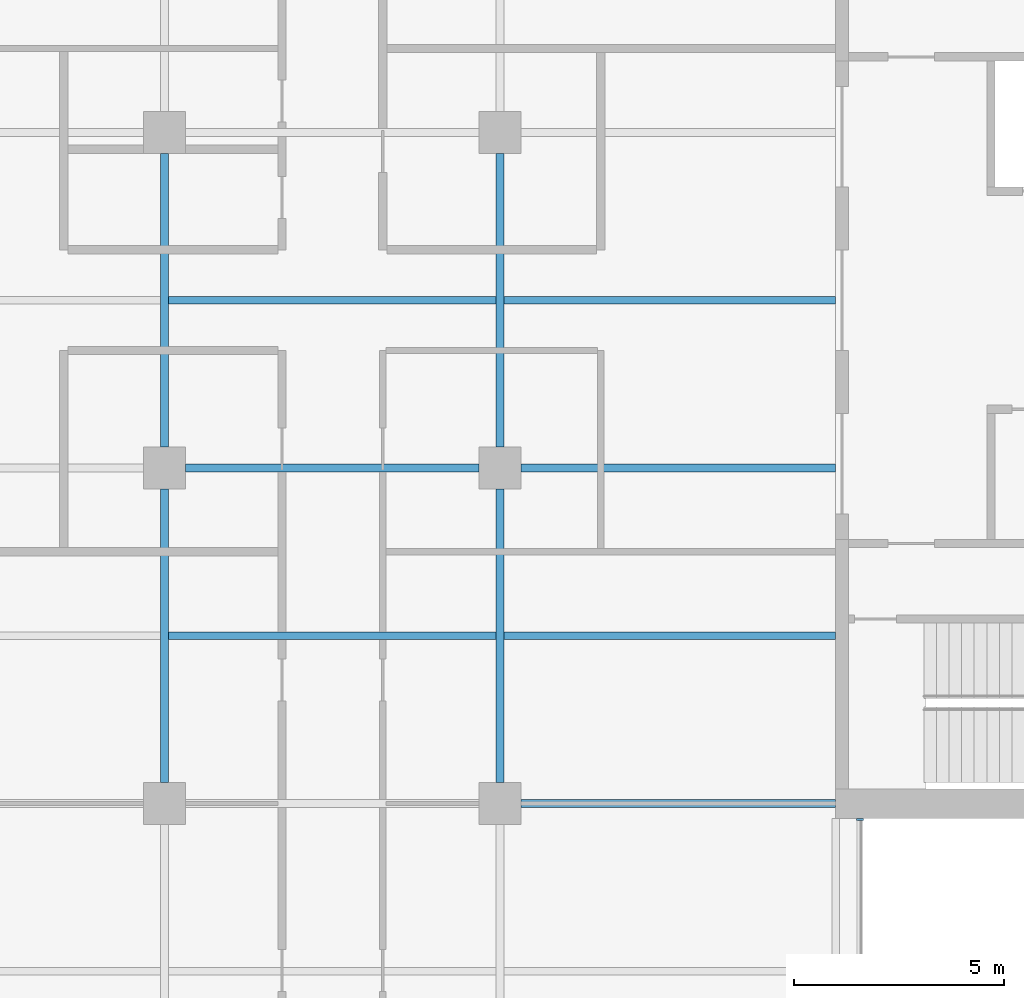
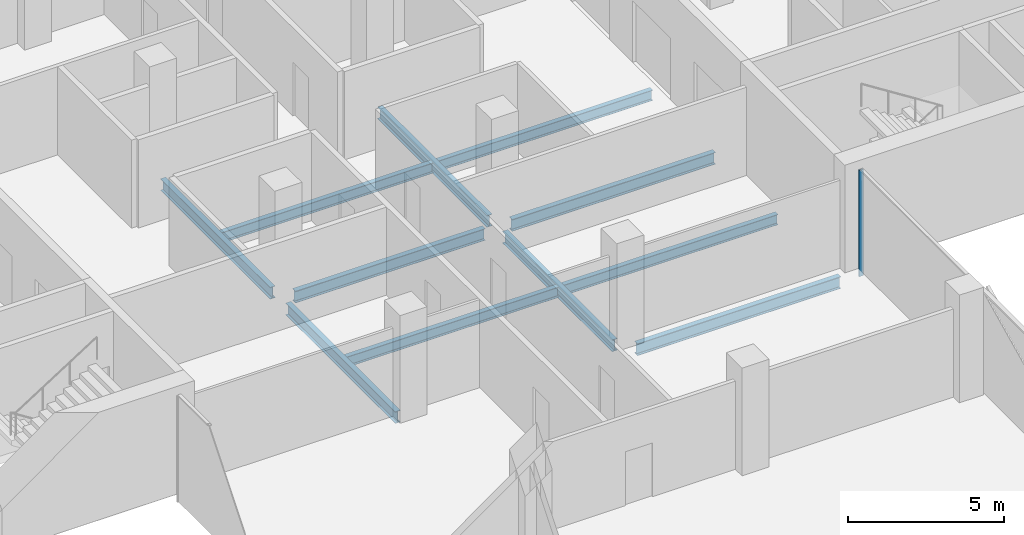
# One storey, part 6 of 22: 11 beams, 1 member, 1 element without a shape of its own.
"""IFC4 building model written with IfcOpenShell, lengths in metres."""

from ifc_helpers import new_model, si_unit, direction, frame, origin, origin_2d, place, context, subcontext, project, spatial, rectangle, i_section, extrude, material, material_profile, profile_set, type_object, element, aggregate, save


model = new_model("IFC4")

# Units and contexts
model_context = context("Model", 3, precision=1e-05, world=origin(), true_north=direction((0.0, 1.0)))
body_context = subcontext(model_context, "Body", "Model", "MODEL_VIEW")
ifc_project = project(units=[si_unit("LENGTHUNIT", "METRE"), si_unit("AREAUNIT", "SQUARE_METRE"), si_unit("VOLUMEUNIT", "CUBIC_METRE"), si_unit("PLANEANGLEUNIT", "RADIAN"), si_unit("MASSUNIT", "GRAM", prefix="KILO")], contexts=[model_context])

# Site, building, storey
site_placement = place(None, origin())
site = spatial("IfcSite", under=ifc_project, at=site_placement, CompositionType="ELEMENT")
building_placement = place(site_placement, origin())
building = spatial("IfcBuilding", under=site, at=building_placement, Name="Crosswind Convention Tower", CompositionType="ELEMENT")
storey_placement = place(building_placement, frame((0.0, 0.0, 133.699951171875)))
storey = spatial("IfcBuildingStorey", under=building, at=storey_placement, Name="L27", CompositionType="ELEMENT", Elevation=133.699951171875)

# Beams
ifc_material_1 = material(Name="Steel S355", Category="steel")
ifc_material_profile_1 = material_profile(ifc_material_1, i_section(OverallWidth=0.19140625, OverallDepth=0.460205078125, WebThickness=0.010009765625, FlangeThickness=0.01611328125, FilletRadius=0.01025390625, at=origin_2d()), Name="UB 457x191x82")
ifc_profile_set_1 = profile_set([ifc_material_profile_1], Name="Steel S355")
beam_type_1 = type_object("IfcBeamType", Name="Girder UB 457x191x82", PredefinedType="BEAM", material=ifc_profile_set_1)
for number, where, z_axis, x_axis, name in (
    (1, (121.0, 88.5, -0.530029296875), (0.0, 1.0, 0.0), (-1.0, 0.0, 0.0), "B3 L27 girder 5"),
    (2, (121.0, 96.5, -0.530029296875), (0.0, 1.0, 0.0), (-1.0, 0.0, 0.0), "B3 L27 girder 6"),
    (3, (121.5, 96.0, -0.530029296875), (1.0, 0.0, 0.0), (0.0, 1.0, 0.0), "B3 L27 girder 12"),
    (4, (129.0, 88.5, -0.530029296875), (0.0, 1.0, 0.0), (-1.0, 0.0, 0.0), "B3 L27 girder 18"),
    (5, (129.0, 96.5, -0.530029296875), (0.0, 1.0, 0.0), (-1.0, 0.0, 0.0), "B3 L27 girder 19"),
):
    element("IfcBeam", number, at=place(storey_placement, frame(where, z_axis=z_axis, x_axis=x_axis)), inside=storey, type_object=beam_type_1, Name=name, PredefinedType="BEAM", context=body_context, shape_type="SweptSolid", body=[
        extrude(i_section(OverallWidth=0.19140625, OverallDepth=0.460205078125, WebThickness=0.010009765625, FlangeThickness=0.01611328125, FilletRadius=0.01025390625, at=origin_2d()), origin(), (0.0, 0.0, 1.0), 7.0),
    ])
ifc_material_profile_2 = material_profile(ifc_material_1, i_section(OverallWidth=0.19189453125, OverallDepth=0.463623046875, WebThickness=0.010498046875, FlangeThickness=0.017578125, FilletRadius=0.01025390625, at=origin_2d()), Name="UB 457x191x90")
ifc_profile_set_2 = profile_set([ifc_material_profile_2], Name="Steel S355")
beam_type_2 = type_object("IfcBeamType", Name="Girder at core wall UB 457x191x90", PredefinedType="BEAM", material=ifc_profile_set_2)
for number, where, z_axis, x_axis, name in (
    (6, (129.5, 88.0, -0.53173828125), (1.0, 0.0, 0.0), (0.0, 1.0, 0.0), "B24 L27 girder at core wall 7"),
    (7, (129.5, 96.0, -0.53173828125), (1.0, 0.0, 0.0), (0.0, 1.0, 0.0), "B24 L27 girder at core wall 8"),
):
    element("IfcBeam", number, at=place(storey_placement, frame(where, z_axis=z_axis, x_axis=x_axis)), inside=storey, type_object=beam_type_2, Name=name, PredefinedType="BEAM", context=body_context, shape_type="SweptSolid", body=[
        extrude(i_section(OverallWidth=0.19189453125, OverallDepth=0.463623046875, WebThickness=0.010498046875, FlangeThickness=0.017578125, FilletRadius=0.01025390625, at=origin_2d()), origin(), (0.0, 0.0, 1.0), 7.5),
    ])

# Curtain wall, member
ifc_material_2 = material(Name="Aluminium unitised curtain wall", Category="aluminium")
curtain_wall_type = type_object("IfcCurtainWallType", Name="CORE END SLOT WALL 160", PredefinedType="USERDEFINED", material=ifc_material_2)
curtain_wall_placement = place(storey_placement, origin())
curtain_wall = element("IfcCurtainWall", 8, at=curtain_wall_placement, inside=storey, type_object=curtain_wall_type, Name="CW6 L27 S-E.1-2 slot", ObjectType="UNITISED", PredefinedType="USERDEFINED")
ifc_material_3 = material(Name="Aluminium mullion", Category="aluminium")
ifc_material_profile_3 = material_profile(ifc_material_3, rectangle(XDim=0.159912109375, YDim=0.050048828125, at=origin_2d()), Name="AL 160X50")
ifc_profile_set_3 = profile_set([ifc_material_profile_3], Name="Aluminium mullion")
member_type = type_object("IfcMemberType", Name="MULLION 50X160", PredefinedType="MULLION", material=ifc_profile_set_3)
member_placement = place(storey_placement, frame((137.580078125, 87.625, -0.300048828125), z_axis=(0.0, 0.0, 1.0), x_axis=(1.0, 0.0, 0.0)))
member = element("IfcMember", 9, at=member_placement, type_object=member_type, Name="CW6 mullion 2", PredefinedType="MULLION", context=body_context, shape_type="SweptSolid", body=[
    extrude(rectangle(XDim=0.159912109375, YDim=0.050048828125, at=origin_2d()), origin(), (0.0, 0.0, 1.0), 4.150146484375),
])
aggregate(curtain_wall, [member])

# Beams
ifc_material_profile_4 = material_profile(ifc_material_1, i_section(OverallWidth=0.177734375, OverallDepth=0.406494140625, WebThickness=0.0078125, FlangeThickness=0.0126953125, FilletRadius=0.01025390625, at=origin_2d()), Name="UB 406x178x60")
ifc_profile_set_4 = profile_set([ifc_material_profile_4], Name="Steel S355")
beam_type_3 = type_object("IfcBeamType", Name="Secondary beam UB 406x178x60", PredefinedType="JOIST", material=ifc_profile_set_4)
for number, where, z_axis, x_axis, name in (
    (10, (121.095703125, 92.0, -0.503173828125), (1.0, 0.0, 0.0), (0.0, 1.0, 0.0), "B10 L27 secondary beam 13"),
    (11, (121.095703125, 100.0, -0.503173828125), (1.0, 0.0, 0.0), (0.0, 1.0, 0.0), "B10 L27 secondary beam 14"),
):
    element("IfcBeam", number, at=place(storey_placement, frame(where, z_axis=z_axis, x_axis=x_axis)), inside=storey, type_object=beam_type_3, Name=name, PredefinedType="JOIST", context=body_context, shape_type="SweptSolid", body=[
        extrude(i_section(OverallWidth=0.177734375, OverallDepth=0.406494140625, WebThickness=0.0078125, FlangeThickness=0.0126953125, FilletRadius=0.01025390625, at=origin_2d()), origin(), (0.0, 0.0, 1.0), 7.80859375),
    ])
for number, where, z_axis, x_axis, name in (
    (12, (129.095703125, 92.0, -0.503173828125), (1.0, 0.0, 0.0), (0.0, 1.0, 0.0), "B10 L27 secondary beam 20"),
    (13, (129.095703125, 100.0, -0.503173828125), (1.0, 0.0, 0.0), (0.0, 1.0, 0.0), "B10 L27 secondary beam 21"),
):
    element("IfcBeam", number, at=place(storey_placement, frame(where, z_axis=z_axis, x_axis=x_axis)), inside=storey, type_object=beam_type_3, Name=name, PredefinedType="JOIST", context=body_context, shape_type="SweptSolid", body=[
        extrude(i_section(OverallWidth=0.177734375, OverallDepth=0.406494140625, WebThickness=0.0078125, FlangeThickness=0.0126953125, FilletRadius=0.01025390625, at=origin_2d()), origin(), (0.0, 0.0, 1.0), 7.904296875),
    ])

save(model, "model.ifc")
